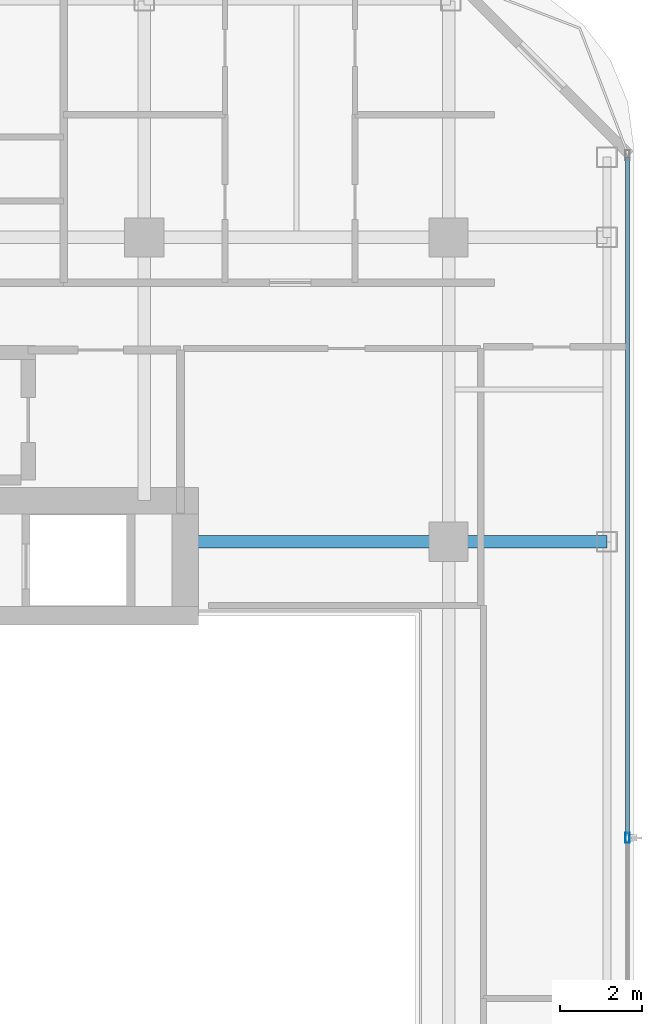
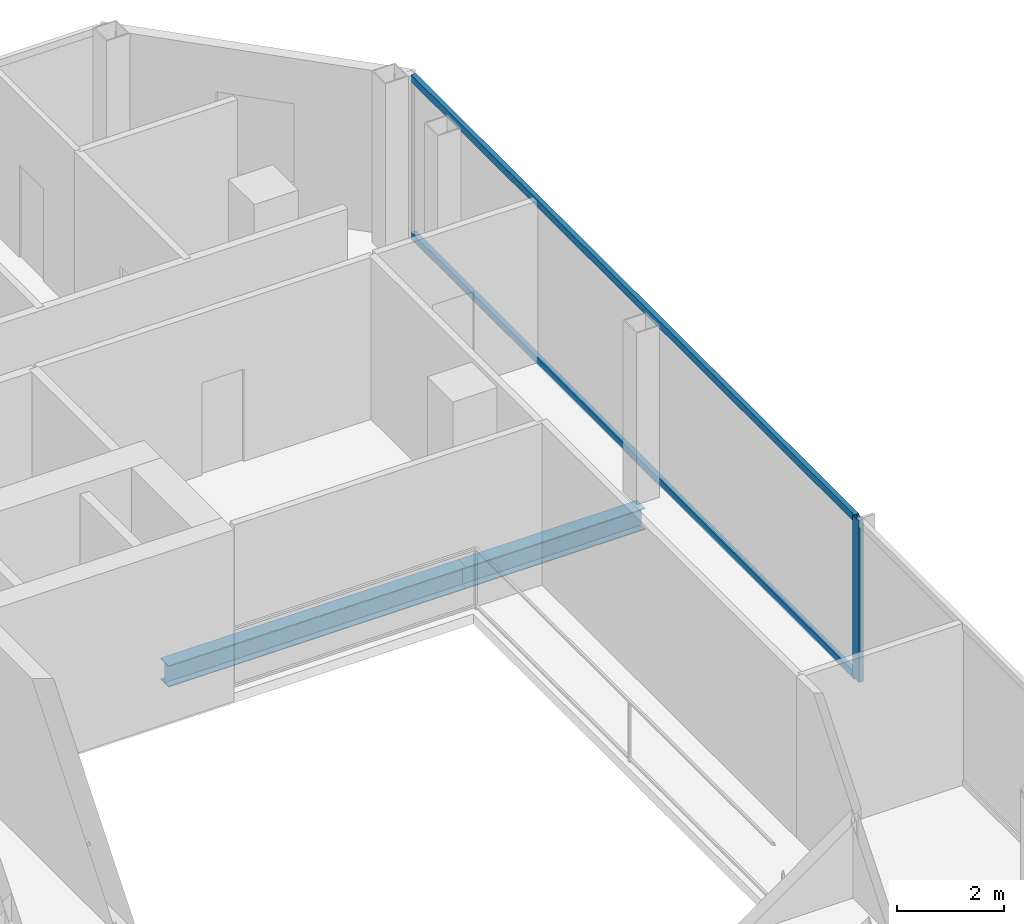
# One storey, part 10 of 26: 3 members, 2 beams, 1 element without a shape of its own.
"""IFC4 building model written with IfcOpenShell, lengths in metres."""

from ifc_helpers import new_model, si_unit, direction, frame, origin, origin_2d, place, context, subcontext, project, spatial, hollow_rectangle, i_section, extrude, material, layer, layer_set, material_profile, profile_set, type_object, element, aggregate, save


model = new_model("IFC4")

# Units and contexts
model_context = context("Model", 3, precision=1e-05, world=origin(), true_north=direction((0.0, 1.0)))
body_context = subcontext(model_context, "Body", "Model", "MODEL_VIEW")
ifc_project = project(units=[si_unit("LENGTHUNIT", "METRE"), si_unit("AREAUNIT", "SQUARE_METRE"), si_unit("VOLUMEUNIT", "CUBIC_METRE"), si_unit("PLANEANGLEUNIT", "RADIAN"), si_unit("MASSUNIT", "GRAM", prefix="KILO")], contexts=[model_context])

# Site, building, storey
site_placement = place(None, origin())
site = spatial("IfcSite", under=ifc_project, at=site_placement, CompositionType="ELEMENT")
building_placement = place(site_placement, origin())
building = spatial("IfcBuilding", under=site, at=building_placement, Name="Khorvyn Point Tower", CompositionType="ELEMENT")
storey_placement = place(building_placement, frame((0.0, 0.0, 289.800048828125)))
storey = spatial("IfcBuildingStorey", under=building, at=storey_placement, Name="L71", CompositionType="ELEMENT", Elevation=289.800048828125)

# Curtain wall, members
ifc_material_1 = material(Name="Anodised aluminium 6063-T6 and laminated Low-E glass", Category="aluminium")
ifc_layer = layer(ifc_material_1, 0.18994140625)
ifc_layer_set = layer_set([ifc_layer], Name="Stick-Built High-Wind Curtain Wall CW-SYS-04")
curtain_wall_type = type_object("IfcCurtainWallType", Name="Stick-Built High-Wind Curtain Wall CW-SYS-04", PredefinedType="NOTDEFINED", material=ifc_layer_set)
curtain_wall_placement = place(storey_placement, origin())
curtain_wall = element("IfcCurtainWall", 1, at=curtain_wall_placement, inside=storey, type_object=curtain_wall_type, Name="Curtain Wall", PredefinedType="NOTDEFINED")
ifc_material_2 = material(Name="Anodised aluminium 6063-T6", Category="aluminium")
ifc_material_profile_1 = material_profile(ifc_material_2, hollow_rectangle(XDim=0.10009765625, YDim=0.239990234375, WallThickness=0.0048828125, at=origin_2d()))
ifc_profile_set_1 = profile_set([ifc_material_profile_1], Name="Anodised aluminium 6063-T6 ALU-MUL-100x240")
member_type_1 = type_object("IfcMemberType", Name="Anodised Aluminium 6063-T6 Mullion ALU-MUL-100x240", PredefinedType="MULLION", material=ifc_profile_set_1)
member_1_placement = place(storey_placement, frame((19.14990234375, 0.199951171875, 0.0), z_axis=(0.0, 0.0, 1.0), x_axis=(1.0, 0.0, 0.0)))
member_1 = element("IfcMember", 2, at=member_1_placement, type_object=member_type_1, Name="Transom", PredefinedType="MULLION", context=body_context, shape_type="SweptSolid", body=[
    extrude(hollow_rectangle(XDim=0.10009765625, YDim=0.239990234375, WallThickness=0.0048828125, at=origin_2d()), origin(), (0.0, 0.0, 1.0), 3.679931640625),
])
ifc_material_profile_2 = material_profile(ifc_material_2, hollow_rectangle(XDim=0.10009765625, YDim=0.159912109375, WallThickness=0.00439453125, at=origin_2d()))
ifc_profile_set_2 = profile_set([ifc_material_profile_2], Name="Anodised aluminium 6063-T6 ALU-TRN-100x160")
member_type_2 = type_object("IfcMemberType", Name="Anodised Aluminium 6063-T6 Transom ALU-TRN-100x160", PredefinedType="USERDEFINED", material=ifc_profile_set_2)
member_2_placement = place(storey_placement, frame((19.14990234375, 16.75, 0.050048828125), z_axis=(0.0, -1.0, 0.0), x_axis=(1.0, 0.0, 0.0)))
member_2 = element("IfcMember", 3, at=member_2_placement, type_object=member_type_2, Name="Transom", ObjectType="TRANSOM", PredefinedType="USERDEFINED", context=body_context, shape_type="SweptSolid", body=[
    extrude(hollow_rectangle(XDim=0.10009765625, YDim=0.159912109375, WallThickness=0.00439453125, at=origin_2d()), origin(), (0.0, 0.0, 1.0), 16.5),
])
member_3_placement = place(storey_placement, frame((19.14990234375, 16.75, 3.6298828125), z_axis=(0.0, -1.0, 0.0), x_axis=(1.0, 0.0, 0.0)))
member_3 = element("IfcMember", 4, at=member_3_placement, type_object=member_type_2, Name="Transom", ObjectType="TRANSOM", PredefinedType="USERDEFINED", context=body_context, shape_type="SweptSolid", body=[
    extrude(hollow_rectangle(XDim=0.10009765625, YDim=0.159912109375, WallThickness=0.00439453125, at=origin_2d()), origin(), (0.0, 0.0, 1.0), 16.5),
])
aggregate(curtain_wall, [member_1, member_2, member_3])

# Beams
ifc_material_3 = material(Name="Steel S355", Category="steel")
ifc_material_profile_3 = material_profile(ifc_material_3, i_section(OverallWidth=0.300048828125, OverallDepth=0.488037109375, WebThickness=0.010986328125, FlangeThickness=0.01806640625, at=origin_2d()))
ifc_profile_set_3 = profile_set([ifc_material_profile_3], Name="Steel S355 H488x300x11x18")
beam_type = type_object("IfcBeamType", Name="Steel S355 Spandrel H488x300x11x18", PredefinedType="SPANDREL", material=ifc_profile_set_3)
beam_1_placement = place(storey_placement, frame((8.39990234375, 7.39990234375, -0.464111328125), z_axis=(1.0, 0.0, 0.0), x_axis=(0.0, 1.0, 0.0)))
element("IfcBeam", 5, at=beam_1_placement, inside=storey, type_object=beam_type, Name="Beam", PredefinedType="SPANDREL", context=body_context, shape_type="SweptSolid", body=[
    extrude(i_section(OverallWidth=0.300048828125, OverallDepth=0.488037109375, WebThickness=0.010986328125, FlangeThickness=0.01806640625, at=origin_2d()), origin(), (0.0, 0.0, 1.0), 6.400146484375),
])
beam_2_placement = place(storey_placement, frame((14.800048828125, 7.39990234375, -0.464111328125), z_axis=(1.0, 0.0, 0.0), x_axis=(0.0, 1.0, 0.0)))
element("IfcBeam", 6, at=beam_2_placement, inside=storey, type_object=beam_type, Name="Beam", PredefinedType="SPANDREL", context=body_context, shape_type="SweptSolid", body=[
    extrude(i_section(OverallWidth=0.300048828125, OverallDepth=0.488037109375, WebThickness=0.010986328125, FlangeThickness=0.01806640625, at=origin_2d()), origin(), (0.0, 0.0, 1.0), 3.849853515625),
])

save(model, "model.ifc")
